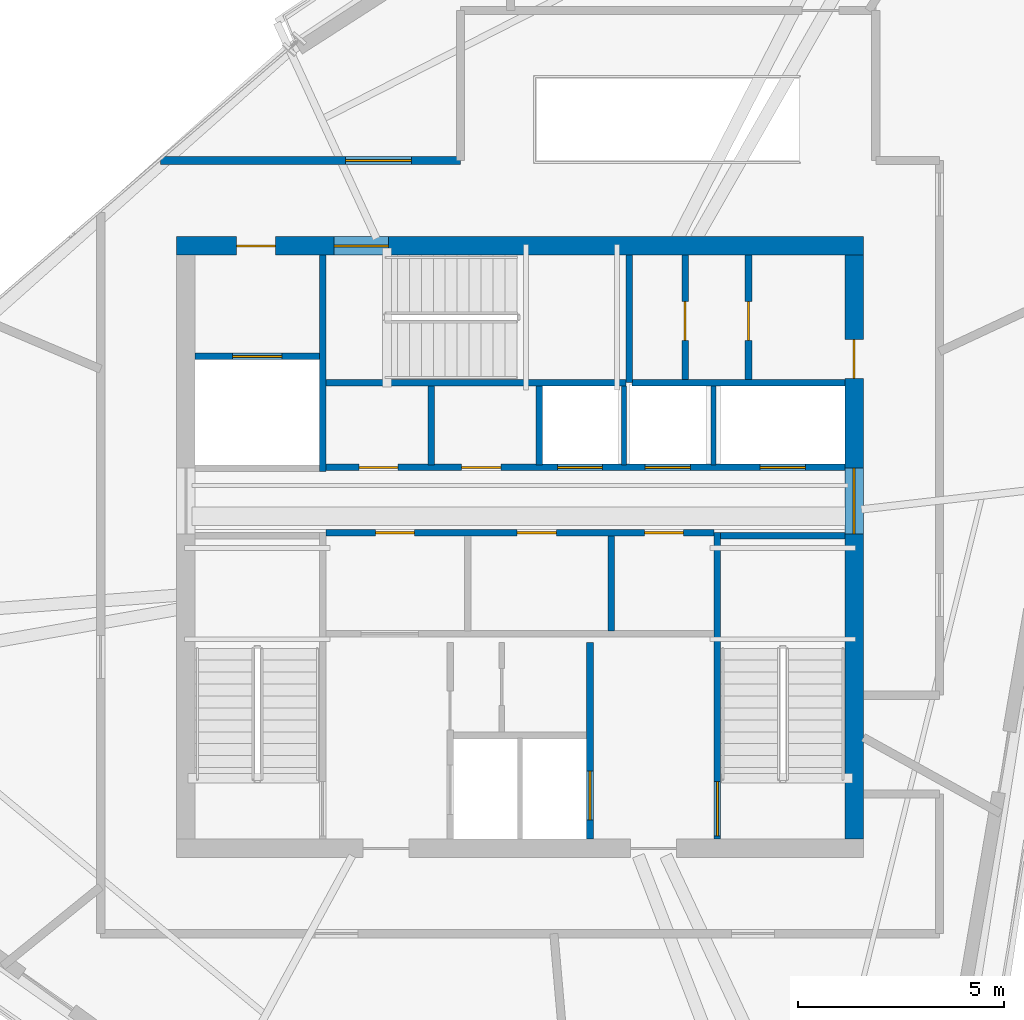
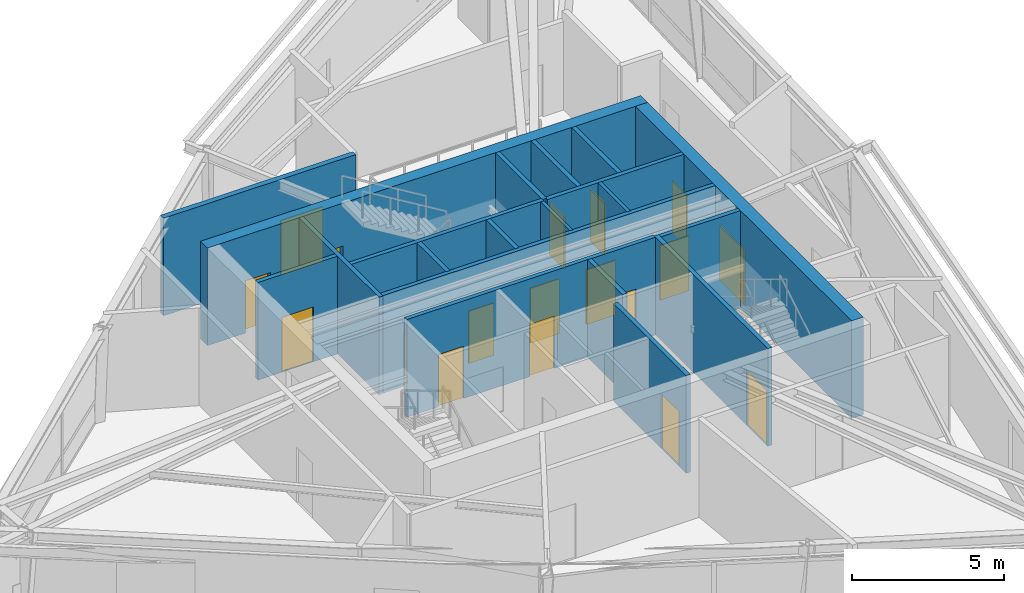
# One storey, part 18 of 22: 20 walls, 18 doors, 18 openings.
"""IFC4 building model written with IfcOpenShell, lengths in metres."""

from ifc_helpers import new_model, si_unit, direction, frame, frame_2d, origin, place, context, subcontext, project, spatial, rectangle, extrude, source, transform, mapped, material, layer, layer_set, type_object, type_shapes, element, fill, save


model = new_model("IFC4")

# Units and contexts
model_context = context("Model", 3, precision=1e-05, world=origin(), true_north=direction((0.0, 1.0)))
body_context = subcontext(model_context, "Body", "Model", "MODEL_VIEW")
ifc_project = project(units=[si_unit("LENGTHUNIT", "METRE"), si_unit("AREAUNIT", "SQUARE_METRE"), si_unit("VOLUMEUNIT", "CUBIC_METRE"), si_unit("PLANEANGLEUNIT", "RADIAN"), si_unit("MASSUNIT", "GRAM", prefix="KILO")], contexts=[model_context])

# Site, building, storey
site_placement = place(None, origin())
site = spatial("IfcSite", under=ifc_project, at=site_placement, CompositionType="ELEMENT")
building_placement = place(site_placement, origin())
building = spatial("IfcBuilding", under=site, at=building_placement, Name="Olszyna Solenne Hotel", CompositionType="ELEMENT")
storey_placement = place(building_placement, frame((0.0, 0.0, 281.89990234375)))
storey = spatial("IfcBuildingStorey", under=building, at=storey_placement, Name="L75", CompositionType="ELEMENT", Elevation=281.89990234375)

# Wall, openings, doors
ifc_material_1 = material(Name="Concrete C50/60", Category="concrete")
ifc_layer_1 = layer(ifc_material_1, 0.449951171875, Name="Concrete C50/60")
ifc_layer_set_1 = layer_set([ifc_layer_1], Name="Concrete C50/60")
wall_type_1 = type_object("IfcWallType", Name="WL-CR450", PredefinedType="SHEAR", material=ifc_layer_set_1)
wall_1_placement = place(storey_placement, frame((29.64990234375, 33.925048828125, 0.0), z_axis=(0.0, 0.0, 1.0), x_axis=(1.0, 0.0, 0.0)))
wall_1 = element("IfcWall", 1, at=wall_1_placement, inside=storey, type_object=wall_type_1, Name="Core shear wall WL-CR450 CRW-L75-N", PredefinedType="SHEAR", context=body_context, shape_type="SweptSolid", body=[
    extrude(rectangle(XDim=16.7001953125, YDim=0.449951171875, at=frame_2d((8.35009765625, 0.0))), origin(), (0.0, 0.0, 1.0), 3.920166015625),
])
opening_1_placement = place(wall_1_placement, frame((1.449951171875, 0.0, 0.0)))
opening_1 = element("IfcOpeningElement", 2, at=opening_1_placement, cuts=wall_1, Name="Opening SVD-L75-01", PredefinedType="OPENING", context=body_context, shape_type="SweptSolid", body=[
    extrude(rectangle(XDim=0.949951171875, YDim=2.10009765625, at=frame_2d((0.47509765625, 1.050048828125))), frame((0.0, 0.23486328125, 0.0), z_axis=(0.0, -1.0, 0.0), x_axis=(1.0, 0.0, 0.0)), (0.0, 0.0, 1.0), 0.469970703125),
])
opening_2_placement = place(wall_1_placement, frame((3.830078125, 0.0, 0.0)))
opening_2 = element("IfcOpeningElement", 3, at=opening_2_placement, cuts=wall_1, Name="Opening STD-L75-03", PredefinedType="OPENING", context=body_context, shape_type="SweptSolid", body=[
    extrude(rectangle(XDim=1.320068359375, YDim=2.199951171875, at=frame_2d((0.66015625, 1.10009765625))), frame((0.0, 0.23486328125, 0.0), z_axis=(0.0, -1.0, 0.0), x_axis=(1.0, 0.0, 0.0)), (0.0, 0.0, 1.0), 0.469970703125),
])
ifc_material_2 = material(Name="Steel S355J2", Category="steel")
door_type_1 = type_object("IfcDoorType", Name="DR-ST1", OperationType="NOTDEFINED", PredefinedType="DOOR", material=ifc_material_2)
shared_shape_1 = source(origin(), body_context, "Body", "SweptSolid", [
    extrude(rectangle(XDim=1.320068359375, YDim=2.199951171875, at=frame_2d((0.66015625, 1.10009765625))), frame((0.0, 0.02490234375, 0.0), z_axis=(0.0, -1.0, 0.0), x_axis=(1.0, 0.0, 0.0)), (0.0, 0.0, 1.0), 0.050048828125),
])
type_shapes(door_type_1, [shared_shape_1])
door_1_placement = place(opening_2_placement, origin())
door_1 = element("IfcDoor", 4, at=door_1_placement, inside=storey, type_object=door_type_1, Name="Pressurised exit stair ST3 fire door STD-L75-03", OperationType="SINGLE_SWING_RIGHT", OverallHeight=2.199951171875, OverallWidth=1.320068359375, PredefinedType="DOOR", context=body_context, shape_type="MappedRepresentation", body=[
    mapped(shared_shape_1, transform((0.0, 0.0, 0.0), x_axis=(1.0, 0.0, 0.0), y_axis=(0.0, 1.0, 0.0), z_axis=(0.0, 0.0, 1.0), scale=1.0)),
])
fill(opening_2, door_1)
door_type_2 = type_object("IfcDoorType", Name="DR-SV1", OperationType="NOTDEFINED", PredefinedType="DOOR", material=ifc_material_2)
shared_shape_2 = source(origin(), body_context, "Body", "SweptSolid", [
    extrude(rectangle(XDim=0.949951171875, YDim=2.10009765625, at=frame_2d((0.47509765625, 1.050048828125))), frame((0.0, 0.02490234375, 0.0), z_axis=(0.0, -1.0, 0.0), x_axis=(1.0, 0.0, 0.0)), (0.0, 0.0, 1.0), 0.050048828125),
])
type_shapes(door_type_2, [shared_shape_2])
door_2_placement = place(opening_1_placement, origin())
door_2 = element("IfcDoor", 5, at=door_2_placement, inside=storey, type_object=door_type_2, Name="Service lift lobby fire door SVD-L75-01", OperationType="SINGLE_SWING_LEFT", OverallHeight=2.10009765625, OverallWidth=0.949951171875, PredefinedType="DOOR", context=body_context, shape_type="MappedRepresentation", body=[
    mapped(shared_shape_2, transform((0.0, 0.0, 0.0), x_axis=(1.0, 0.0, 0.0), y_axis=(0.0, 1.0, 0.0), z_axis=(0.0, 0.0, 1.0), scale=1.0)),
])
fill(opening_1, door_2)

wall_2_placement = place(storey_placement, frame((46.125, 33.699951171875, 0.0), z_axis=(0.0, 0.0, 1.0), x_axis=(0.0, -1.0, 0.0)))
wall_2 = element("IfcWall", 6, at=wall_2_placement, inside=storey, type_object=wall_type_1, Name="Core shear wall WL-CR450 CRW-L75-E", PredefinedType="SHEAR", context=body_context, shape_type="SweptSolid", body=[
    extrude(rectangle(XDim=14.199951171875, YDim=0.449951171875, at=frame_2d((7.10009765625, 0.0))), origin(), (0.0, 0.0, 1.0), 3.920166015625),
])
opening_3_placement = place(wall_2_placement, frame((5.179931640625, 0.0, 0.0)))
opening_3 = element("IfcOpeningElement", 7, at=opening_3_placement, cuts=wall_2, Name="Opening LHD-L75-E", PredefinedType="OPENING", context=body_context, shape_type="SweptSolid", body=[
    extrude(rectangle(XDim=1.60009765625, YDim=2.199951171875, at=frame_2d((0.800048828125, 1.10009765625))), frame((0.0, 0.23486328125, 0.0), z_axis=(0.0, -1.0, 0.0), x_axis=(1.0, 0.0, 0.0)), (0.0, 0.0, 1.0), 0.469970703125),
])
opening_4_placement = place(wall_2_placement, frame((2.050048828125, 0.0, 0.0)))
opening_4 = element("IfcOpeningElement", 8, at=opening_4_placement, cuts=wall_2, Name="Opening SVD-L75-BE", PredefinedType="OPENING", context=body_context, shape_type="SweptSolid", body=[
    extrude(rectangle(XDim=0.949951171875, YDim=2.10009765625, at=frame_2d((0.47509765625, 1.050048828125))), frame((0.0, 0.23486328125, 0.0), z_axis=(0.0, -1.0, 0.0), x_axis=(1.0, 0.0, 0.0)), (0.0, 0.0, 1.0), 0.469970703125),
])
door_3_placement = place(opening_4_placement, origin())
door_3 = element("IfcDoor", 9, at=door_3_placement, inside=storey, type_object=door_type_2, Name="Housekeeping core fire door SVD-L75-BE", OperationType="SINGLE_SWING_RIGHT", OverallHeight=2.10009765625, OverallWidth=0.949951171875, PredefinedType="DOOR", context=body_context, shape_type="MappedRepresentation", body=[
    mapped(shared_shape_2, transform((0.0, 0.0, 0.0), x_axis=(1.0, 0.0, 0.0), y_axis=(0.0, 1.0, 0.0), z_axis=(0.0, 0.0, 1.0), scale=1.0)),
])
fill(opening_4, door_3)
ifc_material_3 = material(Name="Timber hardwood", Category="wood")
door_type_3 = type_object("IfcDoorType", Name="DR-CR1", OperationType="DOUBLE_DOOR_SINGLE_SWING", PredefinedType="DOOR", material=ifc_material_3)
shared_shape_3 = source(origin(), body_context, "Body", "SweptSolid", [
    extrude(rectangle(XDim=1.60009765625, YDim=2.199951171875, at=frame_2d((0.800048828125, 1.10009765625))), frame((0.0, 0.02490234375, 0.0), z_axis=(0.0, -1.0, 0.0), x_axis=(1.0, 0.0, 0.0)), (0.0, 0.0, 1.0), 0.050048828125),
])
type_shapes(door_type_3, [shared_shape_3])
door_4_placement = place(opening_3_placement, origin())
door_4 = element("IfcDoor", 10, at=door_4_placement, inside=storey, type_object=door_type_3, Name="Passenger lift lobby East fire door LHD-L75-E", OperationType="DOUBLE_DOOR_SINGLE_SWING", OverallHeight=2.199951171875, OverallWidth=1.60009765625, PredefinedType="DOOR", context=body_context, shape_type="MappedRepresentation", body=[
    mapped(shared_shape_3, transform((0.0, 0.0, 0.0), x_axis=(1.0, 0.0, 0.0), y_axis=(0.0, 1.0, 0.0), z_axis=(0.0, 0.0, 1.0), scale=1.0)),
])
fill(opening_3, door_4)

# Walls
ifc_material_4 = material(Name="Acoustic gypsum partition", Category="gypsum")
ifc_layer_2 = layer(ifc_material_4, 0.125, Name="Acoustic gypsum partition")
ifc_layer_set_2 = layer_set([ifc_layer_2], Name="Acoustic gypsum partition")
wall_type_2 = type_object("IfcWallType", Name="WL-PT125", PredefinedType="PARTITIONING", material=ifc_layer_set_2)
for number, where, z_axis, x_axis, name in (
    (11, (40.52490234375, 28.60009765625, 0.0), (0.0, 0.0, 1.0), (0.0, 1.0, 0.0), "Core shaft compartment wall CW-L75-DIVEX405"),
    (12, (42.699951171875, 28.60009765625, 0.0), (0.0, 0.0, 1.0), (0.0, 1.0, 0.0), "Core shaft compartment wall CW-L75-DIVEX427"),
):
    element("IfcWall", number, at=place(storey_placement, frame(where, z_axis=z_axis, x_axis=x_axis)), inside=storey, type_object=wall_type_2, Name=name, PredefinedType="PARTITIONING", context=body_context, shape_type="SweptSolid", body=[
        extrude(rectangle(XDim=1.919921875, YDim=0.125, at=frame_2d((0.9599609375, 0.0))), origin(), (0.0, 0.0, 1.0), 3.920166015625),
    ])

# Wall, opening, door
ifc_layer_3 = layer(ifc_material_4, 0.159912109375, Name="Acoustic gypsum partition")
ifc_layer_set_3 = layer_set([ifc_layer_3], Name="Acoustic gypsum partition")
wall_type_3 = type_object("IfcWallType", Name="WL-PT160", PredefinedType="PARTITIONING", material=ifc_layer_set_3)
wall_3_placement = place(storey_placement, frame((42.800048828125, 26.9599609375, 0.0), z_axis=(0.0, 0.0, 1.0), x_axis=(0.0, -1.0, 0.0)))
wall_3 = element("IfcWall", 13, at=wall_3_placement, inside=storey, type_object=wall_type_3, Name="Core shaft compartment wall CW-L75-ST2W", PredefinedType="PARTITIONING", context=body_context, shape_type="SweptSolid", body=[
    extrude(rectangle(XDim=7.4599609375, YDim=0.159912109375, at=frame_2d((3.72998046875, 0.0))), origin(), (0.0, 0.0, 1.0), 3.920166015625),
])
opening_5_placement = place(wall_3_placement, frame((6.06005859375, 0.0, 0.0)))
opening_5 = element("IfcOpeningElement", 14, at=opening_5_placement, cuts=wall_3, Name="Opening STD-L75-02", PredefinedType="OPENING", context=body_context, shape_type="SweptSolid", body=[
    extrude(rectangle(XDim=1.320068359375, YDim=2.199951171875, at=frame_2d((0.66015625, 1.10009765625))), frame((0.0, 0.08984375, 0.0), z_axis=(0.0, -1.0, 0.0), x_axis=(1.0, 0.0, 0.0)), (0.0, 0.0, 1.0), 0.179931640625),
])
door_5_placement = place(opening_5_placement, origin())
door_5 = element("IfcDoor", 15, at=door_5_placement, inside=storey, type_object=door_type_1, Name="Pressurised exit stair ST2 fire door STD-L75-02", OperationType="SINGLE_SWING_RIGHT", OverallHeight=2.199951171875, OverallWidth=1.320068359375, PredefinedType="DOOR", context=body_context, shape_type="MappedRepresentation", body=[
    mapped(shared_shape_1, transform((0.0, 0.0, 0.0), x_axis=(1.0, 0.0, 0.0), y_axis=(0.0, 1.0, 0.0), z_axis=(0.0, 0.0, 1.0), scale=1.0)),
])
fill(opening_5, door_5)

# Walls
wall_4_placement = place(storey_placement, frame((42.8798828125, 26.8798828125, 0.0), z_axis=(0.0, 0.0, 1.0), x_axis=(1.0, 0.0, 0.0)))
element("IfcWall", 16, at=wall_4_placement, inside=storey, type_object=wall_type_3, Name="Core shaft compartment wall CW-L75-ST2N", PredefinedType="PARTITIONING", context=body_context, shape_type="SweptSolid", body=[
    extrude(rectangle(XDim=3.02001953125, YDim=0.159912109375, at=frame_2d((1.510009765625, 0.0))), origin(), (0.0, 0.0, 1.0), 3.920166015625),
])
wall_5_placement = place(storey_placement, frame((33.280029296875, 30.60009765625, 0.0), z_axis=(0.0, 0.0, 1.0), x_axis=(1.0, 0.0, 0.0)))
element("IfcWall", 17, at=wall_5_placement, inside=storey, type_object=wall_type_3, Name="Core shaft compartment wall CW-L75-ST3S", PredefinedType="PARTITIONING", context=body_context, shape_type="SweptSolid", body=[
    extrude(rectangle(XDim=7.300048828125, YDim=0.159912109375, at=frame_2d((3.64990234375, 0.0))), origin(), (0.0, 0.0, 1.0), 3.920166015625),
])
wall_6_placement = place(storey_placement, frame((40.659912109375, 30.60009765625, 0.0), z_axis=(0.0, 0.0, 1.0), x_axis=(0.0, 1.0, 0.0)))
element("IfcWall", 18, at=wall_6_placement, inside=storey, type_object=wall_type_3, Name="Core shaft compartment wall CW-L75-ST3E", PredefinedType="PARTITIONING", context=body_context, shape_type="SweptSolid", body=[
    extrude(rectangle(XDim=3.099853515625, YDim=0.159912109375, at=frame_2d((1.5498046875, 0.0))), origin(), (0.0, 0.0, 1.0), 3.920166015625),
])

# Wall, opening, door
wall_7_placement = place(storey_placement, frame((39.699951171875, 24.280029296875, 0.0), z_axis=(0.0, 0.0, 1.0), x_axis=(0.0, -1.0, 0.0)))
wall_7 = element("IfcWall", 19, at=wall_7_placement, inside=storey, type_object=wall_type_3, Name="Core shaft compartment wall CW-L75-FF2E", PredefinedType="PARTITIONING", context=body_context, shape_type="SweptSolid", body=[
    extrude(rectangle(XDim=4.780029296875, YDim=0.159912109375, at=frame_2d((2.39013671875, 0.0))), origin(), (0.0, 0.0, 1.0), 3.920166015625),
])
opening_6_placement = place(wall_7_placement, frame((3.1201171875, 0.0, 0.0)))
opening_6 = element("IfcOpeningElement", 20, at=opening_6_placement, cuts=wall_7, Name="Opening LD-L75-FF2", PredefinedType="OPENING", context=body_context, shape_type="SweptSolid", body=[
    extrude(rectangle(XDim=1.199951171875, YDim=2.199951171875, at=frame_2d((0.60009765625, 1.10009765625))), frame((0.0, 0.08984375, 0.0), z_axis=(0.0, -1.0, 0.0), x_axis=(1.0, 0.0, 0.0)), (0.0, 0.0, 1.0), 0.179931640625),
])
door_type_4 = type_object("IfcDoorType", Name="LD-FF1", OperationType="DOUBLE_DOOR_SLIDING", PredefinedType="DOOR", material=ifc_material_2)
shared_shape_4 = source(origin(), body_context, "Body", "SweptSolid", [
    extrude(rectangle(XDim=1.199951171875, YDim=2.199951171875, at=frame_2d((0.60009765625, 1.10009765625))), frame((0.0, 0.02490234375, 0.0), z_axis=(0.0, -1.0, 0.0), x_axis=(1.0, 0.0, 0.0)), (0.0, 0.0, 1.0), 0.050048828125),
])
type_shapes(door_type_4, [shared_shape_4])
door_6_placement = place(opening_6_placement, origin())
door_6 = element("IfcDoor", 21, at=door_6_placement, inside=storey, type_object=door_type_4, Name="Firefighters lift FF2 sliding landing door LD-L75-FF2", OperationType="DOUBLE_DOOR_SLIDING", OverallHeight=2.199951171875, OverallWidth=1.199951171875, PredefinedType="DOOR", context=body_context, shape_type="MappedRepresentation", body=[
    mapped(shared_shape_4, transform((0.0, 0.0, 0.0), x_axis=(1.0, 0.0, 0.0), y_axis=(0.0, 1.0, 0.0), z_axis=(0.0, 0.0, 1.0), scale=1.0)),
])
fill(opening_6, door_6)

# Wall
wall_8_placement = place(storey_placement, frame((33.199951171875, 28.43994140625, 0.0), z_axis=(0.0, 0.0, 1.0), x_axis=(0.0, 1.0, 0.0)))
element("IfcWall", 22, at=wall_8_placement, inside=storey, type_object=wall_type_3, Name="Core shaft compartment wall CW-L75-SV1E", PredefinedType="PARTITIONING", context=body_context, shape_type="SweptSolid", body=[
    extrude(rectangle(XDim=5.260009765625, YDim=0.159912109375, at=frame_2d((2.6298828125, 0.0))), origin(), (0.0, 0.0, 1.0), 3.920166015625),
])

# Wall, opening, door
wall_9_placement = place(storey_placement, frame((30.10009765625, 31.239990234375, 0.0), z_axis=(0.0, 0.0, 1.0), x_axis=(1.0, 0.0, 0.0)))
wall_9 = element("IfcWall", 23, at=wall_9_placement, inside=storey, type_object=wall_type_3, Name="Core shaft compartment wall CW-L75-SV1N", PredefinedType="PARTITIONING", context=body_context, shape_type="SweptSolid", body=[
    extrude(rectangle(XDim=3.02001953125, YDim=0.159912109375, at=frame_2d((1.510009765625, 0.0))), origin(), (0.0, 0.0, 1.0), 3.920166015625),
])
opening_7_placement = place(wall_9_placement, frame((0.909912109375, 0.0, 0.0)))
opening_7 = element("IfcOpeningElement", 24, at=opening_7_placement, cuts=wall_9, Name="Opening LD-L75-SV1", PredefinedType="OPENING", context=body_context, shape_type="SweptSolid", body=[
    extrude(rectangle(XDim=1.199951171875, YDim=2.199951171875, at=frame_2d((0.60009765625, 1.10009765625))), frame((0.0, 0.08984375, 0.0), z_axis=(0.0, -1.0, 0.0), x_axis=(1.0, 0.0, 0.0)), (0.0, 0.0, 1.0), 0.179931640625),
])
door_7_placement = place(opening_7_placement, origin())
door_7 = element("IfcDoor", 25, at=door_7_placement, inside=storey, type_object=door_type_4, Name="Service lift SV1 sliding landing door LD-L75-SV1", OperationType="DOUBLE_DOOR_SLIDING", OverallHeight=2.199951171875, OverallWidth=1.199951171875, PredefinedType="DOOR", context=body_context, shape_type="MappedRepresentation", body=[
    mapped(shared_shape_4, transform((0.0, 0.0, 0.0), x_axis=(1.0, 0.0, 0.0), y_axis=(0.0, 1.0, 0.0), z_axis=(0.0, 0.0, 1.0), scale=1.0)),
])
fill(opening_7, door_7)

# Wall, openings, doors
wall_10_placement = place(storey_placement, frame((33.280029296875, 26.949951171875, 0.0), z_axis=(0.0, 0.0, 1.0), x_axis=(1.0, 0.0, 0.0)))
wall_10 = element("IfcWall", 26, at=wall_10_placement, inside=storey, type_object=wall_type_3, Name="Core shaft compartment wall CW-L75-LRS", PredefinedType="PARTITIONING", context=body_context, shape_type="SweptSolid", body=[
    extrude(rectangle(XDim=9.43994140625, YDim=0.159912109375, at=frame_2d((4.719970703125, 0.0))), origin(), (0.0, 0.0, 1.0), 3.920166015625),
])
opening_8_placement = place(wall_10_placement, frame((1.199951171875, 0.0, 0.0)))
opening_8 = element("IfcOpeningElement", 27, at=opening_8_placement, cuts=wall_10, Name="Opening SVD-L75-L71", PredefinedType="OPENING", context=body_context, shape_type="SweptSolid", body=[
    extrude(rectangle(XDim=0.949951171875, YDim=2.10009765625, at=frame_2d((0.47509765625, 1.050048828125))), frame((0.0, 0.08984375, 0.0), z_axis=(0.0, -1.0, 0.0), x_axis=(1.0, 0.0, 0.0)), (0.0, 0.0, 1.0), 0.179931640625),
])
opening_9_placement = place(wall_10_placement, frame((4.64990234375, 0.0, 0.0)))
opening_9 = element("IfcOpeningElement", 28, at=opening_9_placement, cuts=wall_10, Name="Opening SVD-L75-L72", PredefinedType="OPENING", context=body_context, shape_type="SweptSolid", body=[
    extrude(rectangle(XDim=0.949951171875, YDim=2.10009765625, at=frame_2d((0.47509765625, 1.050048828125))), frame((0.0, 0.08984375, 0.0), z_axis=(0.0, -1.0, 0.0), x_axis=(1.0, 0.0, 0.0)), (0.0, 0.0, 1.0), 0.179931640625),
])
opening_10_placement = place(wall_10_placement, frame((7.7451171875, 0.0, 0.0)))
opening_10 = element("IfcOpeningElement", 29, at=opening_10_placement, cuts=wall_10, Name="Opening SVD-L75-L73", PredefinedType="OPENING", context=body_context, shape_type="SweptSolid", body=[
    extrude(rectangle(XDim=0.949951171875, YDim=2.10009765625, at=frame_2d((0.47509765625, 1.050048828125))), frame((0.0, 0.08984375, 0.0), z_axis=(0.0, -1.0, 0.0), x_axis=(1.0, 0.0, 0.0)), (0.0, 0.0, 1.0), 0.179931640625),
])
door_8_placement = place(opening_8_placement, origin())
door_8 = element("IfcDoor", 30, at=door_8_placement, inside=storey, type_object=door_type_2, Name="Recaptured core room fire door SVD-L75-L71", OperationType="SINGLE_SWING_LEFT", OverallHeight=2.10009765625, OverallWidth=0.949951171875, PredefinedType="DOOR", context=body_context, shape_type="MappedRepresentation", body=[
    mapped(shared_shape_2, transform((0.0, 0.0, 0.0), x_axis=(1.0, 0.0, 0.0), y_axis=(0.0, 1.0, 0.0), z_axis=(0.0, 0.0, 1.0), scale=1.0)),
])
fill(opening_8, door_8)
door_9_placement = place(opening_9_placement, origin())
door_9 = element("IfcDoor", 31, at=door_9_placement, inside=storey, type_object=door_type_2, Name="Recaptured core room fire door SVD-L75-L72", OperationType="SINGLE_SWING_RIGHT", OverallHeight=2.10009765625, OverallWidth=0.949951171875, PredefinedType="DOOR", context=body_context, shape_type="MappedRepresentation", body=[
    mapped(shared_shape_2, transform((0.0, 0.0, 0.0), x_axis=(1.0, 0.0, 0.0), y_axis=(0.0, 1.0, 0.0), z_axis=(0.0, 0.0, 1.0), scale=1.0)),
])
fill(opening_9, door_9)
door_10_placement = place(opening_10_placement, origin())
door_10 = element("IfcDoor", 32, at=door_10_placement, inside=storey, type_object=door_type_2, Name="Observation AV room fire door SVD-L75-L73", OperationType="SINGLE_SWING_RIGHT", OverallHeight=2.10009765625, OverallWidth=0.949951171875, PredefinedType="DOOR", context=body_context, shape_type="MappedRepresentation", body=[
    mapped(shared_shape_2, transform((0.0, 0.0, 0.0), x_axis=(1.0, 0.0, 0.0), y_axis=(0.0, 1.0, 0.0), z_axis=(0.0, 0.0, 1.0), scale=1.0)),
])
fill(opening_10, door_10)

# Wall
wall_11_placement = place(storey_placement, frame((40.215087890625, 24.56005859375, 0.0), z_axis=(0.0, 0.0, 1.0), x_axis=(0.0, 1.0, 0.0)))
element("IfcWall", 33, at=wall_11_placement, inside=storey, type_object=wall_type_3, Name="Core shaft compartment wall CW-L75-LV7DIV2", PredefinedType="PARTITIONING", context=body_context, shape_type="SweptSolid", body=[
    extrude(rectangle(XDim=2.31005859375, YDim=0.159912109375, at=frame_2d((1.155029296875, 0.0))), origin(), (0.0, 0.0, 1.0), 3.920166015625),
])

# Wall, openings, doors
wall_12_placement = place(storey_placement, frame((33.280029296875, 28.5400390625, 0.0), z_axis=(0.0, 0.0, 1.0), x_axis=(1.0, 0.0, 0.0)))
wall_12 = element("IfcWall", 34, at=wall_12_placement, inside=storey, type_object=wall_type_3, Name="Core shaft compartment wall CW-L75-LRN", PredefinedType="PARTITIONING", context=body_context, shape_type="SweptSolid", body=[
    extrude(rectangle(XDim=12.619873046875, YDim=0.159912109375, at=frame_2d((6.31005859375, 0.0))), origin(), (0.0, 0.0, 1.0), 3.920166015625),
])
opening_11_placement = place(wall_12_placement, frame((0.800048828125, 0.0, 0.0)))
opening_11 = element("IfcOpeningElement", 35, at=opening_11_placement, cuts=wall_12, Name="Opening SVD-L75-L74", PredefinedType="OPENING", context=body_context, shape_type="SweptSolid", body=[
    extrude(rectangle(XDim=0.949951171875, YDim=2.10009765625, at=frame_2d((0.47509765625, 1.050048828125))), frame((0.0, 0.08984375, 0.0), z_axis=(0.0, -1.0, 0.0), x_axis=(1.0, 0.0, 0.0)), (0.0, 0.0, 1.0), 0.179931640625),
])
opening_12_placement = place(wall_12_placement, frame((3.300048828125, 0.0, 0.0)))
opening_12 = element("IfcOpeningElement", 36, at=opening_12_placement, cuts=wall_12, Name="Opening SVD-L75-L75", PredefinedType="OPENING", context=body_context, shape_type="SweptSolid", body=[
    extrude(rectangle(XDim=0.949951171875, YDim=2.10009765625, at=frame_2d((0.47509765625, 1.050048828125))), frame((0.0, 0.08984375, 0.0), z_axis=(0.0, -1.0, 0.0), x_axis=(1.0, 0.0, 0.0)), (0.0, 0.0, 1.0), 0.179931640625),
])
opening_13_placement = place(wall_12_placement, frame((5.6298828125, 0.0, 0.0)))
opening_13 = element("IfcOpeningElement", 37, at=opening_13_placement, cuts=wall_12, Name="Opening LD-L75-EX1", PredefinedType="OPENING", context=body_context, shape_type="SweptSolid", body=[
    extrude(rectangle(XDim=1.10009765625, YDim=2.199951171875, at=frame_2d((0.550048828125, 1.10009765625))), frame((0.0, 0.08984375, 0.0), z_axis=(0.0, -1.0, 0.0), x_axis=(1.0, 0.0, 0.0)), (0.0, 0.0, 1.0), 0.179931640625),
])
opening_14_placement = place(wall_12_placement, frame((7.760009765625, 0.0, 0.0)))
opening_14 = element("IfcOpeningElement", 38, at=opening_14_placement, cuts=wall_12, Name="Opening LD-L75-EX2", PredefinedType="OPENING", context=body_context, shape_type="SweptSolid", body=[
    extrude(rectangle(XDim=1.10009765625, YDim=2.199951171875, at=frame_2d((0.550048828125, 1.10009765625))), frame((0.0, 0.08984375, 0.0), z_axis=(0.0, -1.0, 0.0), x_axis=(1.0, 0.0, 0.0)), (0.0, 0.0, 1.0), 0.179931640625),
])
opening_15_placement = place(wall_12_placement, frame((10.56005859375, 0.0, 0.0)))
opening_15 = element("IfcOpeningElement", 39, at=opening_15_placement, cuts=wall_12, Name="Opening LD-L75-EX3", PredefinedType="OPENING", context=body_context, shape_type="SweptSolid", body=[
    extrude(rectangle(XDim=1.10009765625, YDim=2.199951171875, at=frame_2d((0.550048828125, 1.10009765625))), frame((0.0, 0.08984375, 0.0), z_axis=(0.0, -1.0, 0.0), x_axis=(1.0, 0.0, 0.0)), (0.0, 0.0, 1.0), 0.179931640625),
])
door_11_placement = place(opening_11_placement, origin())
door_11 = element("IfcDoor", 40, at=door_11_placement, inside=storey, type_object=door_type_2, Name="Observation service room fire door SVD-L75-L74", OperationType="SINGLE_SWING_LEFT", OverallHeight=2.10009765625, OverallWidth=0.949951171875, PredefinedType="DOOR", context=body_context, shape_type="MappedRepresentation", body=[
    mapped(shared_shape_2, transform((0.0, 0.0, 0.0), x_axis=(1.0, 0.0, 0.0), y_axis=(0.0, 1.0, 0.0), z_axis=(0.0, 0.0, 1.0), scale=1.0)),
])
fill(opening_11, door_11)
door_12_placement = place(opening_12_placement, origin())
door_12 = element("IfcDoor", 41, at=door_12_placement, inside=storey, type_object=door_type_2, Name="Observation service room fire door SVD-L75-L75", OperationType="SINGLE_SWING_LEFT", OverallHeight=2.10009765625, OverallWidth=0.949951171875, PredefinedType="DOOR", context=body_context, shape_type="MappedRepresentation", body=[
    mapped(shared_shape_2, transform((0.0, 0.0, 0.0), x_axis=(1.0, 0.0, 0.0), y_axis=(0.0, 1.0, 0.0), z_axis=(0.0, 0.0, 1.0), scale=1.0)),
])
fill(opening_12, door_12)
door_type_5 = type_object("IfcDoorType", Name="LD-P1", OperationType="DOUBLE_DOOR_SLIDING", PredefinedType="DOOR", material=ifc_material_2)
shared_shape_5 = source(origin(), body_context, "Body", "SweptSolid", [
    extrude(rectangle(XDim=1.10009765625, YDim=2.199951171875, at=frame_2d((0.550048828125, 1.10009765625))), frame((0.0, 0.02490234375, 0.0), z_axis=(0.0, -1.0, 0.0), x_axis=(1.0, 0.0, 0.0)), (0.0, 0.0, 1.0), 0.050048828125),
])
type_shapes(door_type_5, [shared_shape_5])
door_13_placement = place(opening_13_placement, origin())
door_13 = element("IfcDoor", 42, at=door_13_placement, inside=storey, type_object=door_type_5, Name="Express lift EX1 sliding landing door LD-L75-EX1", OperationType="DOUBLE_DOOR_SLIDING", OverallHeight=2.199951171875, OverallWidth=1.10009765625, PredefinedType="DOOR", context=body_context, shape_type="MappedRepresentation", body=[
    mapped(shared_shape_5, transform((0.0, 0.0, 0.0), x_axis=(1.0, 0.0, 0.0), y_axis=(0.0, 1.0, 0.0), z_axis=(0.0, 0.0, 1.0), scale=1.0)),
])
fill(opening_13, door_13)
door_14_placement = place(opening_14_placement, origin())
door_14 = element("IfcDoor", 43, at=door_14_placement, inside=storey, type_object=door_type_5, Name="Express lift EX2 sliding landing door LD-L75-EX2", OperationType="DOUBLE_DOOR_SLIDING", OverallHeight=2.199951171875, OverallWidth=1.10009765625, PredefinedType="DOOR", context=body_context, shape_type="MappedRepresentation", body=[
    mapped(shared_shape_5, transform((0.0, 0.0, 0.0), x_axis=(1.0, 0.0, 0.0), y_axis=(0.0, 1.0, 0.0), z_axis=(0.0, 0.0, 1.0), scale=1.0)),
])
fill(opening_14, door_14)
door_15_placement = place(opening_15_placement, origin())
door_15 = element("IfcDoor", 44, at=door_15_placement, inside=storey, type_object=door_type_5, Name="Express lift EX3 sliding landing door LD-L75-EX3", OperationType="DOUBLE_DOOR_SLIDING", OverallHeight=2.199951171875, OverallWidth=1.10009765625, PredefinedType="DOOR", context=body_context, shape_type="MappedRepresentation", body=[
    mapped(shared_shape_5, transform((0.0, 0.0, 0.0), x_axis=(1.0, 0.0, 0.0), y_axis=(0.0, 1.0, 0.0), z_axis=(0.0, 0.0, 1.0), scale=1.0)),
])
fill(opening_15, door_15)

# Walls
wall_13_placement = place(storey_placement, frame((40.719970703125, 30.60009765625, 0.0), z_axis=(0.0, 0.0, 1.0), x_axis=(1.0, 0.0, 0.0)))
element("IfcWall", 45, at=wall_13_placement, inside=storey, type_object=wall_type_3, Name="Core shaft compartment wall CW-L75-LRNTOP", PredefinedType="PARTITIONING", context=body_context, shape_type="SweptSolid", body=[
    extrude(rectangle(XDim=5.179931640625, YDim=0.159912109375, at=frame_2d((2.58984375, 0.0))), origin(), (0.0, 0.0, 1.0), 3.920166015625),
])
for number, where, z_axis, x_axis, name in (
    (46, (35.840087890625, 28.60009765625, 0.0), (0.0, 0.0, 1.0), (0.0, 1.0, 0.0), "Core shaft compartment wall CW-L75-LV7NDIV1"),
    (47, (38.465087890625, 28.60009765625, 0.0), (0.0, 0.0, 1.0), (0.0, 1.0, 0.0), "Core shaft compartment wall CW-L75-LV7NDIV2"),
):
    element("IfcWall", number, at=place(storey_placement, frame(where, z_axis=z_axis, x_axis=x_axis)), inside=storey, type_object=wall_type_3, Name=name, PredefinedType="PARTITIONING", context=body_context, shape_type="SweptSolid", body=[
        extrude(rectangle(XDim=1.919921875, YDim=0.159912109375, at=frame_2d((0.9599609375, 0.0))), origin(), (0.0, 0.0, 1.0), 3.920166015625),
    ])

# Wall, opening, door
wall_14_placement = place(storey_placement, frame((42.014892578125, 30.679931640625, 0.0), z_axis=(0.0, 0.0, 1.0), x_axis=(0.0, 1.0, 0.0)))
wall_14 = element("IfcWall", 48, at=wall_14_placement, inside=storey, type_object=wall_type_3, Name="Core shaft compartment wall CW-L75-BOH3A", PredefinedType="PARTITIONING", context=body_context, shape_type="SweptSolid", body=[
    extrude(rectangle(XDim=3.02001953125, YDim=0.159912109375, at=frame_2d((1.510009765625, 0.0))), origin(), (0.0, 0.0, 1.0), 3.920166015625),
])
opening_16_placement = place(wall_14_placement, frame((0.949951171875, 0.0, 0.0)))
opening_16 = element("IfcOpeningElement", 49, at=opening_16_placement, cuts=wall_14, Name="Opening SVD-L75-B31", PredefinedType="OPENING", context=body_context, shape_type="SweptSolid", body=[
    extrude(rectangle(XDim=0.949951171875, YDim=2.10009765625, at=frame_2d((0.47509765625, 1.050048828125))), frame((0.0, 0.08984375, 0.0), z_axis=(0.0, -1.0, 0.0), x_axis=(1.0, 0.0, 0.0)), (0.0, 0.0, 1.0), 0.179931640625),
])
door_16_placement = place(opening_16_placement, origin())
door_16 = element("IfcDoor", 50, at=door_16_placement, inside=storey, type_object=door_type_2, Name="BOH inter-room fire door SVD-L75-B31", OperationType="SINGLE_SWING_LEFT", OverallHeight=2.10009765625, OverallWidth=0.949951171875, PredefinedType="DOOR", context=body_context, shape_type="MappedRepresentation", body=[
    mapped(shared_shape_2, transform((0.0, 0.0, 0.0), x_axis=(1.0, 0.0, 0.0), y_axis=(0.0, 1.0, 0.0), z_axis=(0.0, 0.0, 1.0), scale=1.0)),
])
fill(opening_16, door_16)

wall_15_placement = place(storey_placement, frame((43.554931640625, 30.679931640625, 0.0), z_axis=(0.0, 0.0, 1.0), x_axis=(0.0, 1.0, 0.0)))
wall_15 = element("IfcWall", 51, at=wall_15_placement, inside=storey, type_object=wall_type_3, Name="Core shaft compartment wall CW-L75-BOH3B", PredefinedType="PARTITIONING", context=body_context, shape_type="SweptSolid", body=[
    extrude(rectangle(XDim=3.02001953125, YDim=0.159912109375, at=frame_2d((1.510009765625, 0.0))), origin(), (0.0, 0.0, 1.0), 3.920166015625),
])
opening_17_placement = place(wall_15_placement, frame((0.949951171875, 0.0, 0.0)))
opening_17 = element("IfcOpeningElement", 52, at=opening_17_placement, cuts=wall_15, Name="Opening SVD-L75-B32", PredefinedType="OPENING", context=body_context, shape_type="SweptSolid", body=[
    extrude(rectangle(XDim=0.949951171875, YDim=2.10009765625, at=frame_2d((0.47509765625, 1.050048828125))), frame((0.0, 0.08984375, 0.0), z_axis=(0.0, -1.0, 0.0), x_axis=(1.0, 0.0, 0.0)), (0.0, 0.0, 1.0), 0.179931640625),
])
door_17_placement = place(opening_17_placement, origin())
door_17 = element("IfcDoor", 53, at=door_17_placement, inside=storey, type_object=door_type_2, Name="BOH inter-room fire door SVD-L75-B32", OperationType="SINGLE_SWING_LEFT", OverallHeight=2.10009765625, OverallWidth=0.949951171875, PredefinedType="DOOR", context=body_context, shape_type="MappedRepresentation", body=[
    mapped(shared_shape_2, transform((0.0, 0.0, 0.0), x_axis=(1.0, 0.0, 0.0), y_axis=(0.0, 1.0, 0.0), z_axis=(0.0, 0.0, 1.0), scale=1.0)),
])
fill(opening_17, door_17)

ifc_layer_4 = layer(ifc_material_4, 0.199951171875, Name="Acoustic gypsum partition")
ifc_layer_set_4 = layer_set([ifc_layer_4], Name="Acoustic gypsum partition")
wall_type_4 = type_object("IfcWallType", Name="WL-PT200", PredefinedType="PARTITIONING", material=ifc_layer_set_4)
wall_16_placement = place(storey_placement, frame((29.257080078125, 36.0, 0.0), z_axis=(0.0, 0.0, 1.0), x_axis=(1.0, 0.0, 0.0)))
wall_16 = element("IfcWall", 54, at=wall_16_placement, inside=storey, type_object=wall_type_4, Name="Interior acoustic partition WL-PT200 PW-L75-4112", PredefinedType="PARTITIONING", context=body_context, shape_type="SweptSolid", body=[
    extrude(rectangle(XDim=7.29296875, YDim=0.199951171875, at=frame_2d((3.646484375, 0.0))), origin(), (0.0, 0.0, 1.0), 3.920166015625),
])
opening_18_placement = place(wall_16_placement, frame((4.498046875, 0.0, 0.0)))
opening_18 = element("IfcOpeningElement", 55, at=opening_18_placement, cuts=wall_16, Name="Opening DR-L75-0994", PredefinedType="OPENING", context=body_context, shape_type="SweptSolid", body=[
    extrude(rectangle(XDim=1.60009765625, YDim=2.199951171875, at=frame_2d((0.800048828125, 1.10009765625))), frame((0.0, 0.10986328125, 0.0), z_axis=(0.0, -1.0, 0.0), x_axis=(1.0, 0.0, 0.0)), (0.0, 0.0, 1.0), 0.219970703125),
])
door_18_placement = place(opening_18_placement, origin())
door_18 = element("IfcDoor", 56, at=door_18_placement, inside=storey, type_object=door_type_3, Name="Sky Restaurant Dining Hall Entrance Door DR-L75-0994", OperationType="DOUBLE_DOOR_SINGLE_SWING", OverallHeight=2.199951171875, OverallWidth=1.60009765625, PredefinedType="DOOR", context=body_context, shape_type="MappedRepresentation", body=[
    mapped(shared_shape_3, transform((0.0, 0.0, 0.0), x_axis=(1.0, 0.0, 0.0), y_axis=(0.0, 1.0, 0.0), z_axis=(0.0, 0.0, 1.0), scale=1.0)),
])
fill(opening_18, door_18)

save(model, "model.ifc")
